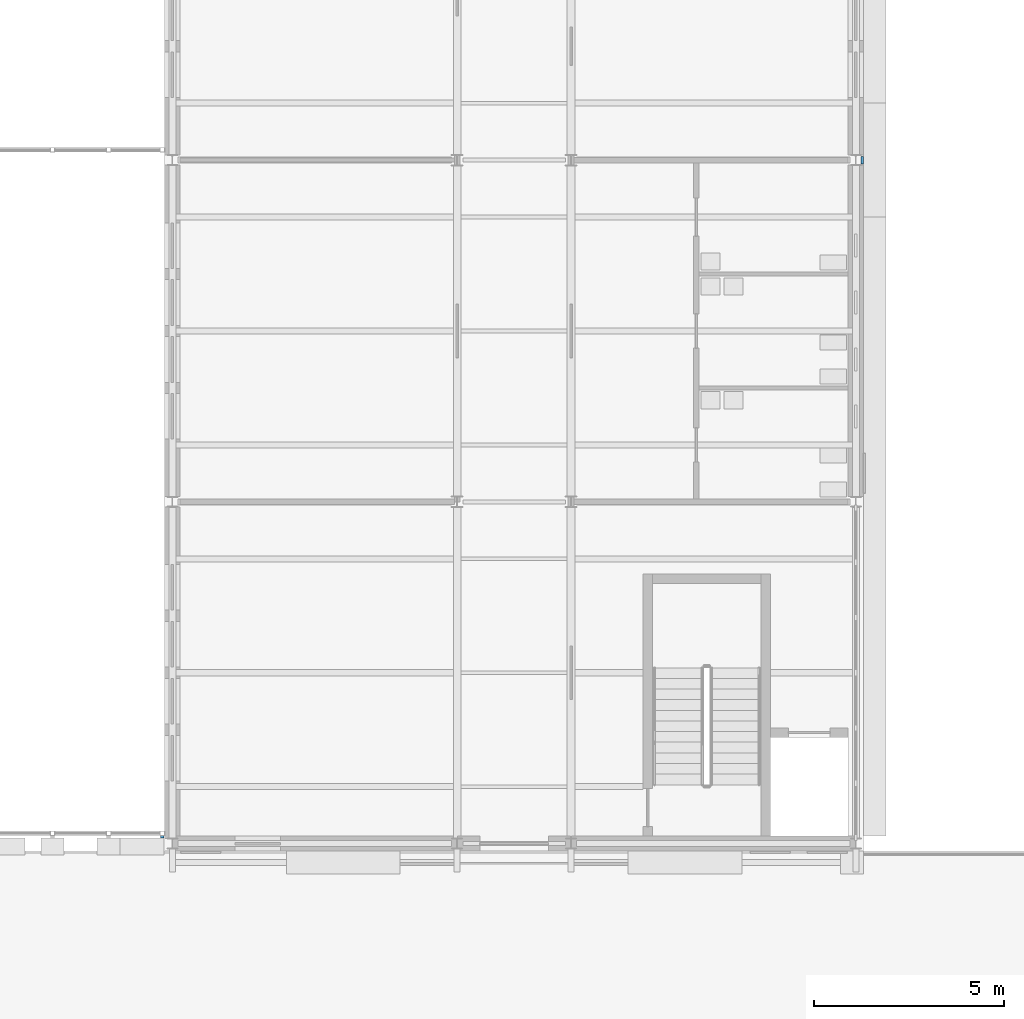
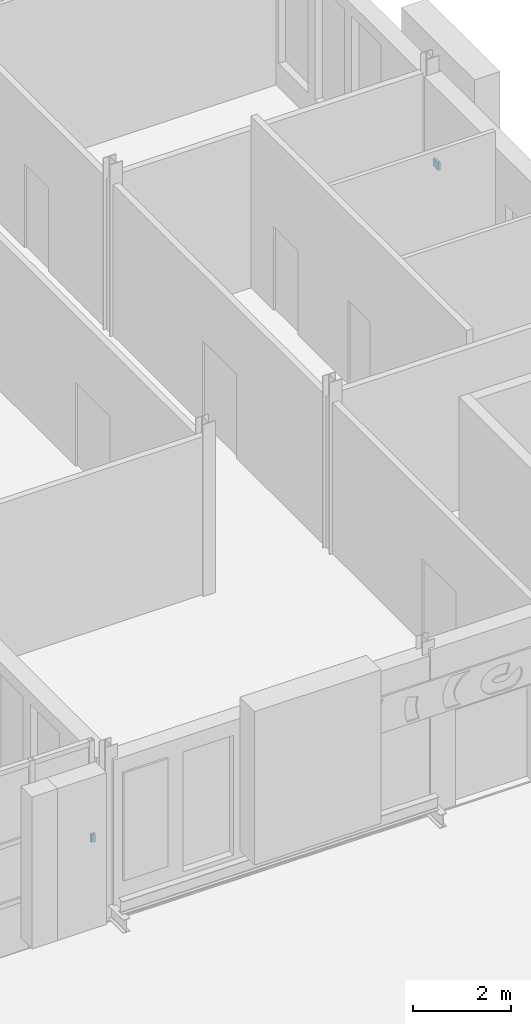
# One storey, part 102 of 134: 2 discrete accessories.
"""IFC4 building model written with IfcOpenShell, lengths in metres."""

from ifc_helpers import new_model, si_unit, direction, frame, origin, origin_2d, place, context, subcontext, project, spatial, rectangle, extrude, material, type_object, element, save


model = new_model("IFC4")

# Units and contexts
model_context = context("Model", 3, precision=1e-05, world=origin(), true_north=direction((0.0, 1.0)))
body_context = subcontext(model_context, "Body", "Model", "MODEL_VIEW")
ifc_project = project(units=[si_unit("LENGTHUNIT", "METRE"), si_unit("AREAUNIT", "SQUARE_METRE"), si_unit("VOLUMEUNIT", "CUBIC_METRE"), si_unit("PLANEANGLEUNIT", "RADIAN"), si_unit("MASSUNIT", "GRAM", prefix="KILO")], contexts=[model_context])

# Site, building, storey
site_placement = place(None, origin())
site = spatial("IfcSite", under=ifc_project, at=site_placement, CompositionType="ELEMENT")
building_placement = place(site_placement, origin())
building = spatial("IfcBuilding", under=site, at=building_placement, Name="Golden Quay Civic Hall", CompositionType="ELEMENT")
storey_placement = place(building_placement, frame((0.0, 0.0, 5.39990234375)))
storey = spatial("IfcBuildingStorey", under=building, at=storey_placement, Name="L01", CompositionType="ELEMENT", Elevation=5.39990234375)

# Discrete accessories
ifc_material_1 = material(Name="Steel S355", Category="steel")
discrete_accessory_type_1 = type_object("IfcDiscreteAccessoryType", Name="Hall screen bracket 100 x 200", PredefinedType="BRACKET", material=ifc_material_1)
discrete_accessory_1_placement = place(storey_placement, frame((98.735107421875, 0.179931640625, 1.80029296875), z_axis=(0.0, 0.0, 1.0), x_axis=(1.0, 0.0, 0.0)))
element("IfcDiscreteAccessory", 1, at=discrete_accessory_1_placement, inside=storey, type_object=discrete_accessory_type_1, Name="Hall screen bracket 18", PredefinedType="BRACKET", context=body_context, shape_type="SweptSolid", body=[
    extrude(rectangle(XDim=0.090087890625, YDim=0.06005859375, at=origin_2d()), origin(), (0.0, 0.0, 1.0), 0.199951171875),
])
ifc_material_2 = material(Name="Steel S355", Category="steel")
discrete_accessory_type_2 = type_object("IfcDiscreteAccessoryType", Name="Pier fixing bracket 200 x 200", PredefinedType="BRACKET", material=ifc_material_2)
discrete_accessory_2_placement = place(storey_placement, frame((117.169921875, 18.0, 1.39990234375), z_axis=(0.0, 0.0, 1.0), x_axis=(0.0, 1.0, 0.0)))
element("IfcDiscreteAccessory", 2, at=discrete_accessory_2_placement, inside=storey, type_object=discrete_accessory_type_2, Name="Pier fixing bracket 200 x 200 L01 17", PredefinedType="BRACKET", context=body_context, shape_type="SweptSolid", body=[
    extrude(rectangle(XDim=0.199951171875, YDim=0.06005859375, at=origin_2d()), origin(), (0.0, 0.0, 1.0), 0.199951171875),
])

save(model, "model.ifc")
